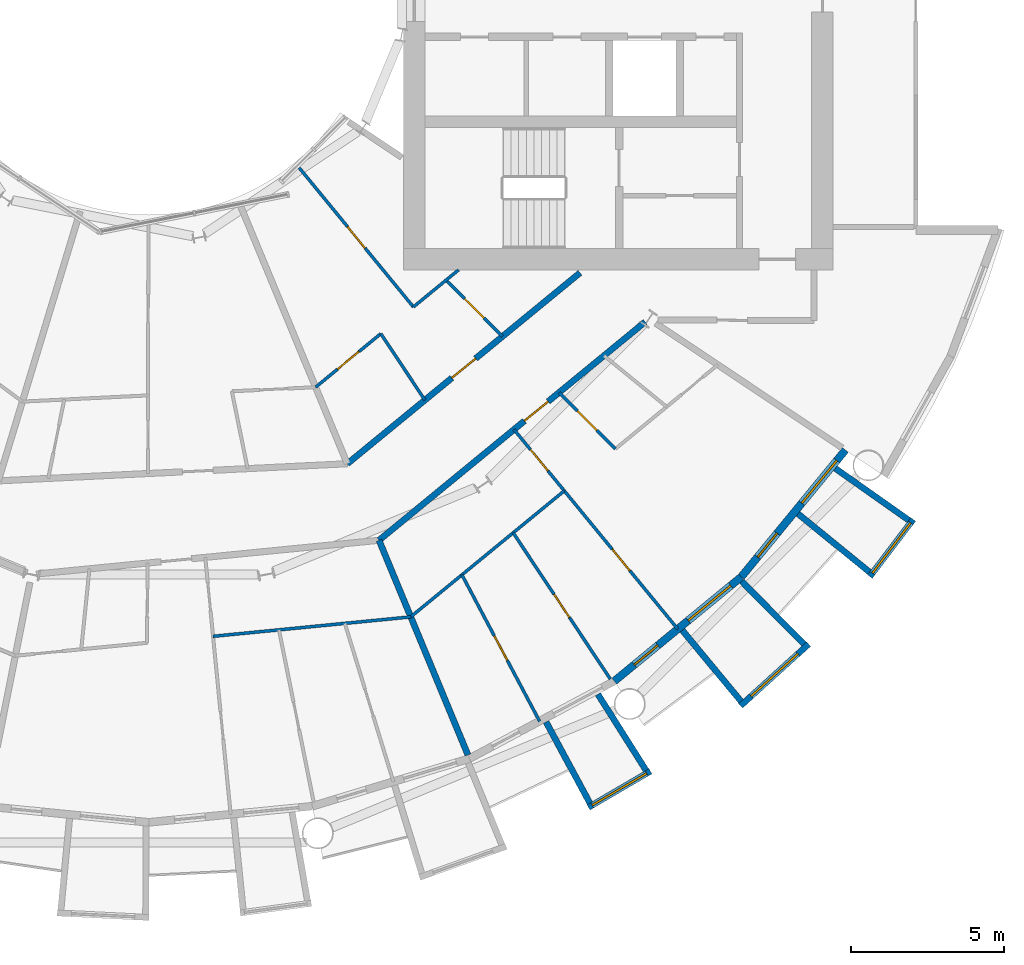
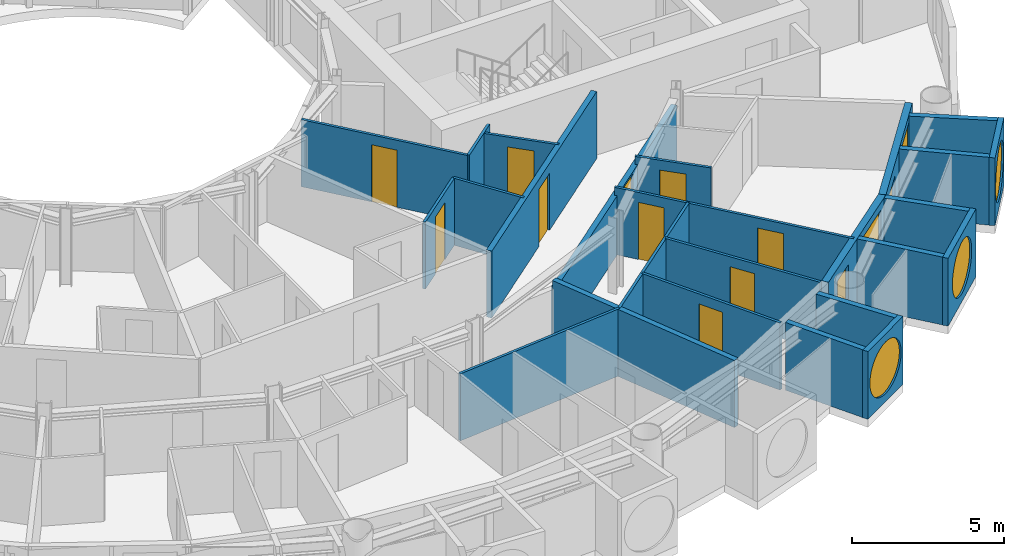
# One storey, part 16 of 26: 25 walls, 12 doors, 5 windows, 17 openings.
"""IFC4 building model written with IfcOpenShell, lengths in metres."""

from ifc_helpers import new_model, si_unit, direction, frame, frame_2d, origin, place, context, subcontext, project, spatial, rectangle, circle, extrude, material, layer, layer_set, type_object, element, fill, save


model = new_model("IFC4")

# Units and contexts
model_context = context("Model", 3, precision=1e-05, world=origin(), true_north=direction((0.0, 1.0)))
body_context = subcontext(model_context, "Body", "Model", "MODEL_VIEW")
ifc_project = project(units=[si_unit("LENGTHUNIT", "METRE"), si_unit("AREAUNIT", "SQUARE_METRE"), si_unit("VOLUMEUNIT", "CUBIC_METRE"), si_unit("PLANEANGLEUNIT", "RADIAN"), si_unit("MASSUNIT", "GRAM", prefix="KILO")], contexts=[model_context])

# Site, building, storey
site_placement = place(None, origin())
site = spatial("IfcSite", under=ifc_project, at=site_placement, CompositionType="ELEMENT")
building_placement = place(site_placement, origin())
building = spatial("IfcBuilding", under=site, at=building_placement, Name="Maasbend Ring Residences", CompositionType="ELEMENT")
storey_placement = place(building_placement, frame((0.0, 0.0, 63.60009765625)))
storey = spatial("IfcBuildingStorey", under=building, at=storey_placement, Name="L17", CompositionType="ELEMENT", Elevation=63.60009765625)

# Wall, opening, door
ifc_material_1 = material(Name="Concrete C30/37", Category="concrete")
ifc_layer_1 = layer(ifc_material_1, 0.199951171875)
ifc_layer_set_1 = layer_set([ifc_layer_1], Name="Concrete C30/37")
wall_type_1 = type_object("IfcWallType", Name="CORRIDOR WALL 200 CONCRETE", PredefinedType="PARTITIONING", material=ifc_layer_set_1)
wall_1_placement = place(storey_placement, frame((7.498046875, -18.10888671875, 0.0), z_axis=(0.0, 0.0, 1.0), x_axis=(0.773076379635, 0.634312944256, 0.0)))
wall_1 = element("IfcWall", 1, at=wall_1_placement, inside=storey, type_object=wall_type_1, Name="U-L17-w014", PredefinedType="PARTITIONING", context=body_context, shape_type="SweptSolid", body=[
    extrude(rectangle(XDim=11.221435546875, YDim=0.199951171875, at=frame_2d((5.61083984375, 0.0))), origin(), (0.0, 0.0, 1.0), 2.3798828125),
])
opening_1_placement = place(wall_1_placement, frame((6.132080078125, 0.0, 0.0)))
opening_1 = element("IfcOpeningElement", 2, at=opening_1_placement, cuts=wall_1, Name="Opening D-1750", PredefinedType="OPENING", context=body_context, shape_type="SweptSolid", body=[
    extrude(rectangle(XDim=1.0, YDim=2.300048828125, at=frame_2d((0.5, 1.14990234375))), frame((0.0, 0.10986328125, 0.0), z_axis=(0.0, -1.0, 0.0), x_axis=(1.0, 0.0, 0.0)), (0.0, 0.0, 1.0), 0.219970703125),
])
ifc_material_2 = material(Name="Timber, fire-rated, painted", Category="wood")
door_type_1 = type_object("IfcDoorType", Name="FLAT ENTRANCE DOOR 1000 X 2300 FIRE-RATED", OperationType="NOTDEFINED", PredefinedType="DOOR", material=ifc_material_2)
door_1_placement = place(opening_1_placement, origin())
door_1 = element("IfcDoor", 3, at=door_1_placement, inside=storey, type_object=door_type_1, Name="D-1750", OperationType="SINGLE_SWING_RIGHT", OverallHeight=2.300048828125, OverallWidth=1.0, PredefinedType="DOOR", context=body_context, shape_type="SweptSolid", body=[
    extrude(rectangle(XDim=1.0, YDim=2.300048828125, at=frame_2d((0.5, 1.14990234375))), frame((0.0, 0.02490234375, 0.0), z_axis=(0.0, -1.0, 0.0), x_axis=(1.0, 0.0, 0.0)), (0.0, 0.0, 1.0), 0.050048828125),
])
fill(opening_1, door_1)

wall_2_placement = place(storey_placement, frame((6.467041015625, -15.614013671875, 0.0), z_axis=(0.0, 0.0, 1.0), x_axis=(0.773074935257, 0.634314704605, 0.0)))
wall_2 = element("IfcWall", 4, at=wall_2_placement, inside=storey, type_object=wall_type_1, Name="U-L17-w015", PredefinedType="PARTITIONING", context=body_context, shape_type="SweptSolid", body=[
    extrude(rectangle(XDim=9.808837890625, YDim=0.199951171875, at=frame_2d((4.904296875, 0.0))), origin(), (0.0, 0.0, 1.0), 2.699951171875),
])
opening_2_placement = place(wall_2_placement, frame((4.406982421875, 0.0, 0.0)))
opening_2 = element("IfcOpeningElement", 5, at=opening_2_placement, cuts=wall_2, Name="Opening D-1766", PredefinedType="OPENING", context=body_context, shape_type="SweptSolid", body=[
    extrude(rectangle(XDim=1.0, YDim=2.300048828125, at=frame_2d((0.5, 1.14990234375))), frame((0.0, 0.10986328125, 0.0), z_axis=(0.0, -1.0, 0.0), x_axis=(1.0, 0.0, 0.0)), (0.0, 0.0, 1.0), 0.219970703125),
])
door_2_placement = place(opening_2_placement, origin())
door_2 = element("IfcDoor", 6, at=door_2_placement, inside=storey, type_object=door_type_1, Name="D-1766", OperationType="SINGLE_SWING_RIGHT", OverallHeight=2.300048828125, OverallWidth=1.0, PredefinedType="DOOR", context=body_context, shape_type="SweptSolid", body=[
    extrude(rectangle(XDim=1.0, YDim=2.300048828125, at=frame_2d((0.5, 1.14990234375))), frame((0.0, 0.02490234375, 0.0), z_axis=(0.0, -1.0, 0.0), x_axis=(1.0, 0.0, 0.0)), (0.0, 0.0, 1.0), 0.050048828125),
])
fill(opening_2, door_2)

# Wall, opening, window
ifc_material_3 = material(Name="Pale anodised aluminium panel", Category="aluminium")
ifc_layer_2 = layer(ifc_material_3, 0.199951171875)
ifc_layer_set_2 = layer_set([ifc_layer_2], Name="EW-BOX")
wall_type_2 = type_object("IfcWallType", Name="EW-BOX", PredefinedType="SOLIDWALL", material=ifc_layer_set_2)
wall_3_placement = place(storey_placement, frame((14.326904296875, -26.81201171875, -0.030029296875), z_axis=(0.0, 0.0, 1.0), x_axis=(0.863346521872, 0.504611517081, 0.0)))
wall_3 = element("IfcWall", 7, at=wall_3_placement, inside=storey, type_object=wall_type_2, Name="Box front S16", PredefinedType="SOLIDWALL", context=body_context, shape_type="SweptSolid", body=[
    extrude(rectangle(XDim=2.33642578125, YDim=0.199951171875, at=frame_2d((1.168212890625, 0.0))), origin(), (0.0, 0.0, 1.0), 2.72998046875),
])
opening_3_placement = place(wall_3_placement, frame((0.128173828125, 0.0, 0.330078125)))
opening_3 = element("IfcOpeningElement", 8, at=opening_3_placement, cuts=wall_3, Name="Opening W-RD", PredefinedType="OPENING", context=body_context, shape_type="SweptSolid", body=[
    extrude(circle(Radius=1.0400390625, at=frame_2d((1.0400390625, 1.0400390625))), frame((0.0, 0.10986328125, 0.0), z_axis=(0.0, -1.0, 0.0), x_axis=(1.0, 0.0, 0.0)), (0.0, 0.0, 1.0), 0.219970703125),
])
ifc_material_4 = material(Name="Aluminium and clear glass", Category="aluminium")
window_type_1 = type_object("IfcWindowType", Name="W-RD", PartitioningType="SINGLE_PANEL", PredefinedType="WINDOW", material=ifc_material_4)
window_1_placement = place(opening_3_placement, origin())
window_1 = element("IfcWindow", 9, at=window_1_placement, inside=storey, type_object=window_type_1, Name="Round window S16", OverallHeight=2.080078125, OverallWidth=2.080078125, PartitioningType="SINGLE_PANEL", PredefinedType="WINDOW", context=body_context, shape_type="SweptSolid", body=[
    extrude(circle(Radius=1.0400390625, at=frame_2d((1.0400390625, 1.0400390625))), frame((0.0, 0.030029296875, 0.0), z_axis=(0.0, -1.0, 0.0), x_axis=(1.0, 0.0, 0.0)), (0.0, 0.0, 1.0), 0.06005859375),
])
fill(opening_3, window_1)

# Walls
wall_4_placement = place(storey_placement, frame((12.945068359375, -24.029052734375, -0.030029296875), z_axis=(0.0, 0.0, 1.0), x_axis=(0.474424310775, -0.88029629861, 0.0)))
element("IfcWall", 10, at=wall_4_placement, inside=storey, type_object=wall_type_2, Name="Box side wall S16 left", PredefinedType="SOLIDWALL", context=body_context, shape_type="SweptSolid", body=[
    extrude(rectangle(XDim=3.005859375, YDim=0.199951171875, at=frame_2d((1.5029296875, 0.0))), origin(), (0.0, 0.0, 1.0), 2.72998046875),
])
wall_5_placement = place(storey_placement, frame((14.635009765625, -23.1259765625, -0.030029296875), z_axis=(0.0, 0.0, 1.0), x_axis=(0.534437802731, -0.845207805816, 0.0)))
element("IfcWall", 11, at=wall_5_placement, inside=storey, type_object=wall_type_2, Name="Box side wall S16 right", PredefinedType="SOLIDWALL", context=body_context, shape_type="SweptSolid", body=[
    extrude(rectangle(XDim=2.931884765625, YDim=0.199951171875, at=frame_2d((1.4658203125, 0.0))), origin(), (0.0, 0.0, 1.0), 2.72998046875),
])

# Wall, opening, window
wall_6_placement = place(storey_placement, frame((19.281982421875, -23.5029296875, -0.030029296875), z_axis=(0.0, 0.0, 1.0), x_axis=(0.740998365753, 0.671506829416, 0.0)))
wall_6 = element("IfcWall", 12, at=wall_6_placement, inside=storey, type_object=wall_type_2, Name="Box front S18", PredefinedType="SOLIDWALL", context=body_context, shape_type="SweptSolid", body=[
    extrude(rectangle(XDim=2.9931640625, YDim=0.199951171875, at=frame_2d((1.49658203125, 0.0))), origin(), (0.0, 0.0, 1.0), 2.72998046875),
])
opening_4_placement = place(wall_6_placement, frame((0.45654296875, 0.0, 0.330078125)))
opening_4 = element("IfcOpeningElement", 13, at=opening_4_placement, cuts=wall_6, Name="Opening W-RD", PredefinedType="OPENING", context=body_context, shape_type="SweptSolid", body=[
    extrude(circle(Radius=1.0400390625, at=frame_2d((1.0400390625, 1.0400390625))), frame((0.0, 0.10986328125, 0.0), z_axis=(0.0, -1.0, 0.0), x_axis=(1.0, 0.0, 0.0)), (0.0, 0.0, 1.0), 0.219970703125),
])
window_2_placement = place(opening_4_placement, origin())
window_2 = element("IfcWindow", 14, at=window_2_placement, inside=storey, type_object=window_type_1, Name="Round window S18", OverallHeight=2.080078125, OverallWidth=2.080078125, PartitioningType="SINGLE_PANEL", PredefinedType="WINDOW", context=body_context, shape_type="SweptSolid", body=[
    extrude(circle(Radius=1.0400390625, at=frame_2d((1.0400390625, 1.0400390625))), frame((0.0, 0.030029296875, 0.0), z_axis=(0.0, -1.0, 0.0), x_axis=(1.0, 0.0, 0.0)), (0.0, 0.0, 1.0), 0.06005859375),
])
fill(opening_4, window_2)

# Walls
wall_7_placement = place(storey_placement, frame((17.384033203125, -21.041015625, -0.030029296875), z_axis=(0.0, 0.0, 1.0), x_axis=(0.63709551667, -0.770784861449, 0.0)))
element("IfcWall", 15, at=wall_7_placement, inside=storey, type_object=wall_type_2, Name="Box side wall S18 left", PredefinedType="SOLIDWALL", context=body_context, shape_type="SweptSolid", body=[
    extrude(rectangle(XDim=3.005859375, YDim=0.199951171875, at=frame_2d((1.5029296875, 0.0))), origin(), (0.0, 0.0, 1.0), 2.72998046875),
])
wall_8_placement = place(storey_placement, frame((19.322998046875, -19.449951171875, -0.030029296875), z_axis=(0.0, 0.0, 1.0), x_axis=(0.704476739375, -0.709727076896, 0.0)))
element("IfcWall", 16, at=wall_8_placement, inside=storey, type_object=wall_type_2, Name="Box side wall S18 right", PredefinedType="SOLIDWALL", context=body_context, shape_type="SweptSolid", body=[
    extrude(rectangle(XDim=2.883056640625, YDim=0.199951171875, at=frame_2d((1.44140625, 0.0))), origin(), (0.0, 0.0, 1.0), 2.72998046875),
])

# Wall, opening, window
wall_9_placement = place(storey_placement, frame((23.4970703125, -19.2890625, -0.030029296875), z_axis=(0.0, 0.0, 1.0), x_axis=(0.60418752353, 0.796842165306, 0.0)))
wall_9 = element("IfcWall", 17, at=wall_9_placement, inside=storey, type_object=wall_type_2, Name="Box front S20", PredefinedType="SOLIDWALL", context=body_context, shape_type="SweptSolid", body=[
    extrude(rectangle(XDim=2.3369140625, YDim=0.199951171875, at=frame_2d((1.16845703125, 0.0))), origin(), (0.0, 0.0, 1.0), 2.72998046875),
])
opening_5_placement = place(wall_9_placement, frame((0.128173828125, 0.0, 0.330078125)))
opening_5 = element("IfcOpeningElement", 18, at=opening_5_placement, cuts=wall_9, Name="Opening W-RD", PredefinedType="OPENING", context=body_context, shape_type="SweptSolid", body=[
    extrude(circle(Radius=1.0400390625, at=frame_2d((1.0400390625, 1.0400390625))), frame((0.0, 0.10986328125, 0.0), z_axis=(0.0, -1.0, 0.0), x_axis=(1.0, 0.0, 0.0)), (0.0, 0.0, 1.0), 0.219970703125),
])
window_3_placement = place(opening_5_placement, origin())
window_3 = element("IfcWindow", 19, at=window_3_placement, inside=storey, type_object=window_type_1, Name="Round window S20", OverallHeight=2.080078125, OverallWidth=2.080078125, PartitioningType="SINGLE_PANEL", PredefinedType="WINDOW", context=body_context, shape_type="SweptSolid", body=[
    extrude(circle(Radius=1.0400390625, at=frame_2d((1.0400390625, 1.0400390625))), frame((0.0, 0.030029296875, 0.0), z_axis=(0.0, -1.0, 0.0), x_axis=(1.0, 0.0, 0.0)), (0.0, 0.0, 1.0), 0.06005859375),
])
fill(opening_5, window_3)

# Walls
wall_10_placement = place(storey_placement, frame((21.155029296875, -17.24609375, -0.030029296875), z_axis=(0.0, 0.0, 1.0), x_axis=(0.775179004516, -0.631741648902, 0.0)))
element("IfcWall", 20, at=wall_10_placement, inside=storey, type_object=wall_type_2, Name="Box side wall S20 left", PredefinedType="SOLIDWALL", context=body_context, shape_type="SweptSolid", body=[
    extrude(rectangle(XDim=3.005859375, YDim=0.199951171875, at=frame_2d((1.5029296875, 0.0))), origin(), (0.0, 0.0, 1.0), 2.72998046875),
])
wall_11_placement = place(storey_placement, frame((22.3701171875, -15.764892578125, -0.030029296875), z_axis=(0.0, 0.0, 1.0), x_axis=(0.817256123454, -0.576274612209, 0.0)))
element("IfcWall", 21, at=wall_11_placement, inside=storey, type_object=wall_type_2, Name="Box side wall S20 right", PredefinedType="SOLIDWALL", context=body_context, shape_type="SweptSolid", body=[
    extrude(rectangle(XDim=2.932861328125, YDim=0.199951171875, at=frame_2d((1.46630859375, 0.0))), origin(), (0.0, 0.0, 1.0), 2.72998046875),
])

# Wall, openings, door, window
ifc_material_5 = material(Name="Aluminium clad insulated panel", Category="aluminium")
ifc_layer_3 = layer(ifc_material_5, 0.25)
ifc_layer_set_3 = layer_set([ifc_layer_3], Name="EW-GL")
wall_type_3 = type_object("IfcWallType", Name="EW-GL", PredefinedType="SOLIDWALL", material=ifc_layer_set_3)
wall_12_placement = place(storey_placement, frame((15.1669921875, -22.698974609375, 0.0), z_axis=(0.0, 0.0, 1.0), x_axis=(0.773019449054, 0.634382322723, 0.0)))
wall_12 = element("IfcWall", 22, at=wall_12_placement, inside=storey, type_object=wall_type_3, Name="External wall S09", PredefinedType="SOLIDWALL", context=body_context, shape_type="SweptSolid", body=[
    extrude(rectangle(XDim=5.351806640625, YDim=0.25, at=frame_2d((2.67578125, 0.0))), origin(), (0.0, 0.0, 1.0), 2.699951171875),
])
opening_6_placement = place(wall_12_placement, frame((0.841064453125, 0.0, 0.0)))
opening_6 = element("IfcOpeningElement", 23, at=opening_6_placement, cuts=wall_12, Name="Opening D-LG", PredefinedType="OPENING", context=body_context, shape_type="SweptSolid", body=[
    extrude(rectangle(XDim=1.0, YDim=2.199951171875, at=frame_2d((0.5, 1.10009765625))), frame((0.0, 0.135009765625, 0.0), z_axis=(0.0, -1.0, 0.0), x_axis=(1.0, 0.0, 0.0)), (0.0, 0.0, 1.0), 0.27001953125),
])
opening_7_placement = place(wall_12_placement, frame((3.110595703125, 0.0, 0.300048828125)))
opening_7 = element("IfcOpeningElement", 24, at=opening_7_placement, cuts=wall_12, Name="Opening W-BX", PredefinedType="OPENING", context=body_context, shape_type="SweptSolid", body=[
    extrude(rectangle(XDim=1.800048828125, YDim=2.10009765625, at=frame_2d((0.89990234375, 1.050048828125))), frame((0.0, 0.135009765625, 0.0), z_axis=(0.0, -1.0, 0.0), x_axis=(1.0, 0.0, 0.0)), (0.0, 0.0, 1.0), 0.27001953125),
])
ifc_material_6 = material(Name="Aluminium and clear glass", Category="aluminium")
door_type_2 = type_object("IfcDoorType", Name="D-LG", OperationType="SINGLE_SWING_LEFT", PredefinedType="DOOR", material=ifc_material_6)
door_3_placement = place(opening_6_placement, origin())
door_3 = element("IfcDoor", 25, at=door_3_placement, inside=storey, type_object=door_type_2, Name="Loggia door S17", OperationType="SINGLE_SWING_LEFT", OverallHeight=2.199951171875, OverallWidth=1.0, PredefinedType="DOOR", context=body_context, shape_type="SweptSolid", body=[
    extrude(rectangle(XDim=1.0, YDim=2.199951171875, at=frame_2d((0.5, 1.10009765625))), frame((0.0, 0.02490234375, 0.0), z_axis=(0.0, -1.0, 0.0), x_axis=(1.0, 0.0, 0.0)), (0.0, 0.0, 1.0), 0.050048828125),
])
fill(opening_6, door_3)
ifc_material_7 = material(Name="Aluminium and clear glass", Category="aluminium")
window_type_2 = type_object("IfcWindowType", Name="W-BX", PartitioningType="DOUBLE_PANEL_VERTICAL", PredefinedType="WINDOW", material=ifc_material_7)
window_4_placement = place(opening_7_placement, origin())
window_4 = element("IfcWindow", 26, at=window_4_placement, inside=storey, type_object=window_type_2, Name="Window S18 room to box", OverallHeight=2.10009765625, OverallWidth=1.800048828125, PartitioningType="SINGLE_PANEL", PredefinedType="WINDOW", context=body_context, shape_type="SweptSolid", body=[
    extrude(rectangle(XDim=1.800048828125, YDim=2.10009765625, at=frame_2d((0.89990234375, 1.050048828125))), frame((0.0, 0.030029296875, 0.0), z_axis=(0.0, -1.0, 0.0), x_axis=(1.0, 0.0, 0.0)), (0.0, 0.0, 1.0), 0.06005859375),
])
fill(opening_7, window_4)

wall_13_placement = place(storey_placement, frame((19.303955078125, -19.303955078125, 0.0), z_axis=(0.0, 0.0, 1.0), x_axis=(0.634382322723, 0.773019449054, 0.0)))
wall_13 = element("IfcWall", 27, at=wall_13_placement, inside=storey, type_object=wall_type_3, Name="External wall S10", PredefinedType="SOLIDWALL", context=body_context, shape_type="SweptSolid", body=[
    extrude(rectangle(XDim=5.351806640625, YDim=0.25, at=frame_2d((2.67578125, 0.0))), origin(), (0.0, 0.0, 1.0), 2.699951171875),
])
opening_8_placement = place(wall_13_placement, frame((0.841064453125, 0.0, 0.0)))
opening_8 = element("IfcOpeningElement", 28, at=opening_8_placement, cuts=wall_13, Name="Opening D-LG", PredefinedType="OPENING", context=body_context, shape_type="SweptSolid", body=[
    extrude(rectangle(XDim=1.0, YDim=2.199951171875, at=frame_2d((0.5, 1.10009765625))), frame((0.0, 0.135009765625, 0.0), z_axis=(0.0, -1.0, 0.0), x_axis=(1.0, 0.0, 0.0)), (0.0, 0.0, 1.0), 0.27001953125),
])
opening_9_placement = place(wall_13_placement, frame((3.110595703125, 0.0, 0.300048828125)))
opening_9 = element("IfcOpeningElement", 29, at=opening_9_placement, cuts=wall_13, Name="Opening W-BX", PredefinedType="OPENING", context=body_context, shape_type="SweptSolid", body=[
    extrude(rectangle(XDim=1.800048828125, YDim=2.10009765625, at=frame_2d((0.89990234375, 1.050048828125))), frame((0.0, 0.135009765625, 0.0), z_axis=(0.0, -1.0, 0.0), x_axis=(1.0, 0.0, 0.0)), (0.0, 0.0, 1.0), 0.27001953125),
])
door_4_placement = place(opening_8_placement, origin())
door_4 = element("IfcDoor", 30, at=door_4_placement, inside=storey, type_object=door_type_2, Name="Loggia door S19", OperationType="SINGLE_SWING_LEFT", OverallHeight=2.199951171875, OverallWidth=1.0, PredefinedType="DOOR", context=body_context, shape_type="SweptSolid", body=[
    extrude(rectangle(XDim=1.0, YDim=2.199951171875, at=frame_2d((0.5, 1.10009765625))), frame((0.0, 0.02490234375, 0.0), z_axis=(0.0, -1.0, 0.0), x_axis=(1.0, 0.0, 0.0)), (0.0, 0.0, 1.0), 0.050048828125),
])
fill(opening_8, door_4)
window_5_placement = place(opening_9_placement, origin())
window_5 = element("IfcWindow", 31, at=window_5_placement, inside=storey, type_object=window_type_2, Name="Window S20 room to box", OverallHeight=2.10009765625, OverallWidth=1.800048828125, PartitioningType="SINGLE_PANEL", PredefinedType="WINDOW", context=body_context, shape_type="SweptSolid", body=[
    extrude(rectangle(XDim=1.800048828125, YDim=2.10009765625, at=frame_2d((0.89990234375, 1.050048828125))), frame((0.0, 0.030029296875, 0.0), z_axis=(0.0, -1.0, 0.0), x_axis=(1.0, 0.0, 0.0)), (0.0, 0.0, 1.0), 0.06005859375),
])
fill(opening_9, window_5)

# Walls
ifc_material_8 = material(Name="Gypsum board on steel studs", Category="steel")
ifc_layer_4 = layer(ifc_material_8, 0.10009765625)
ifc_layer_set_4 = layer_set([ifc_layer_4], Name="PARTITION 100 GYPSUM")
wall_type_4 = type_object("IfcWallType", Name="PARTITION 100 GYPSUM", PredefinedType="PARTITIONING", material=ifc_layer_set_4)
wall_14_placement = place(storey_placement, frame((2.089111328125, -21.238037109375, 0.0), z_axis=(0.0, 0.0, 1.0), x_axis=(0.995211787668, 0.097741995509, 0.0)))
element("IfcWall", 32, at=wall_14_placement, inside=storey, type_object=wall_type_4, Name="U-L17-w008", PredefinedType="PARTITIONING", context=body_context, shape_type="SweptSolid", body=[
    extrude(rectangle(XDim=6.476806640625, YDim=0.10009765625, at=frame_2d((3.23828125, 0.0))), origin(), (0.0, 0.0, 1.0), 2.699951171875),
])
wall_15_placement = place(storey_placement, frame((8.533935546875, -20.60302734375, 0.0), z_axis=(0.0, 0.0, 1.0), x_axis=(0.773000340237, 0.634405606843, 0.0)))
element("IfcWall", 33, at=wall_15_placement, inside=storey, type_object=wall_type_4, Name="U-L17-w009", PredefinedType="PARTITIONING", context=body_context, shape_type="SweptSolid", body=[
    extrude(rectangle(XDim=6.4736328125, YDim=0.10009765625, at=frame_2d((3.23681640625, 0.0))), origin(), (0.0, 0.0, 1.0), 2.699951171875),
])

# Wall, opening, door
wall_16_placement = place(storey_placement, frame((5.43408203125, -13.118896484375, 0.0), z_axis=(0.0, 0.0, 1.0), x_axis=(0.773049907698, 0.634345205868, 0.0)))
wall_16 = element("IfcWall", 34, at=wall_16_placement, inside=storey, type_object=wall_type_4, Name="U-L17-w018", PredefinedType="PARTITIONING", context=body_context, shape_type="SweptSolid", body=[
    extrude(rectangle(XDim=2.74755859375, YDim=0.10009765625, at=frame_2d((1.373779296875, 0.0))), origin(), (0.0, 0.0, 1.0), 2.699951171875),
])
opening_10_placement = place(wall_16_placement, frame((0.924072265625, 0.0, 0.0)))
opening_10 = element("IfcOpeningElement", 35, at=opening_10_placement, cuts=wall_16, Name="Opening D-1767", PredefinedType="OPENING", context=body_context, shape_type="SweptSolid", body=[
    extrude(rectangle(XDim=0.89990234375, YDim=2.300048828125, at=frame_2d((0.449951171875, 1.14990234375))), frame((0.0, 0.06005859375, 0.0), z_axis=(0.0, -1.0, 0.0), x_axis=(1.0, 0.0, 0.0)), (0.0, 0.0, 1.0), 0.1201171875),
])
ifc_material_9 = material(Name="Timber, painted", Category="wood")
door_type_3 = type_object("IfcDoorType", Name="INTERNAL DOOR 900 X 2300", OperationType="NOTDEFINED", PredefinedType="DOOR", material=ifc_material_9)
door_5_placement = place(opening_10_placement, origin())
door_5 = element("IfcDoor", 36, at=door_5_placement, inside=storey, type_object=door_type_3, Name="D-1767", OperationType="SINGLE_SWING_RIGHT", OverallHeight=2.300048828125, OverallWidth=0.89990234375, PredefinedType="DOOR", context=body_context, shape_type="SweptSolid", body=[
    extrude(rectangle(XDim=0.89990234375, YDim=2.300048828125, at=frame_2d((0.449951171875, 1.14990234375))), frame((0.0, 0.02490234375, 0.0), z_axis=(0.0, -1.0, 0.0), x_axis=(1.0, 0.0, 0.0)), (0.0, 0.0, 1.0), 0.050048828125),
])
fill(opening_10, door_5)

# Wall
wall_17_placement = place(storey_placement, frame((8.6201171875, -10.5048828125, 0.0), z_axis=(0.0, 0.0, 1.0), x_axis=(0.772957368531, 0.6344579627, 0.0)))
element("IfcWall", 37, at=wall_17_placement, inside=storey, type_object=wall_type_4, Name="U-L17-w019", PredefinedType="PARTITIONING", context=body_context, shape_type="SweptSolid", body=[
    extrude(rectangle(XDim=1.905517578125, YDim=0.10009765625, at=frame_2d((0.95263671875, 0.0))), origin(), (0.0, 0.0, 1.0), 2.699951171875),
])

# Wall, opening, door
wall_18_placement = place(storey_placement, frame((4.89794921875, -5.968017578125, 0.0), z_axis=(0.0, 0.0, 1.0), x_axis=(0.634358693064, -0.773038840249, 0.0)))
wall_18 = element("IfcWall", 38, at=wall_18_placement, inside=storey, type_object=wall_type_4, Name="U-L17-w069", PredefinedType="PARTITIONING", context=body_context, shape_type="SweptSolid", body=[
    extrude(rectangle(XDim=5.86767578125, YDim=0.10009765625, at=frame_2d((2.933837890625, 0.0))), origin(), (0.0, 0.0, 1.0), 2.699951171875),
])
opening_11_placement = place(wall_18_placement, frame((2.48388671875, 0.0, 0.0)))
opening_11 = element("IfcOpeningElement", 39, at=opening_11_placement, cuts=wall_18, Name="Opening D-1769", PredefinedType="OPENING", context=body_context, shape_type="SweptSolid", body=[
    extrude(rectangle(XDim=0.89990234375, YDim=2.300048828125, at=frame_2d((0.449951171875, 1.14990234375))), frame((0.0, 0.06005859375, 0.0), z_axis=(0.0, -1.0, 0.0), x_axis=(1.0, 0.0, 0.0)), (0.0, 0.0, 1.0), 0.1201171875),
])
door_6_placement = place(opening_11_placement, origin())
door_6 = element("IfcDoor", 40, at=door_6_placement, inside=storey, type_object=door_type_3, Name="D-1769", OperationType="SINGLE_SWING_LEFT", OverallHeight=2.300048828125, OverallWidth=0.89990234375, PredefinedType="DOOR", context=body_context, shape_type="SweptSolid", body=[
    extrude(rectangle(XDim=0.89990234375, YDim=2.300048828125, at=frame_2d((0.449951171875, 1.14990234375))), frame((0.0, 0.02490234375, 0.0), z_axis=(0.0, -1.0, 0.0), x_axis=(1.0, 0.0, 0.0)), (0.0, 0.0, 1.0), 0.050048828125),
])
fill(opening_11, door_6)

# Wall
wall_19_placement = place(storey_placement, frame((7.55810546875, -11.3759765625, 0.0), z_axis=(0.0, 0.0, 1.0), x_axis=(0.553615197403, -0.83277260594, 0.0)))
element("IfcWall", 41, at=wall_19_placement, inside=storey, type_object=wall_type_4, Name="U-L17-w076", PredefinedType="PARTITIONING", context=body_context, shape_type="SweptSolid", body=[
    extrude(rectangle(XDim=2.597412109375, YDim=0.10009765625, at=frame_2d((1.298828125, 0.0))), origin(), (0.0, 0.0, 1.0), 2.699951171875),
])

# Wall, opening, door
wall_20_placement = place(storey_placement, frame((9.68310546875, -9.632080078125, 0.0), z_axis=(0.0, 0.0, 1.0), x_axis=(0.708796844581, -0.705412668665, 0.0)))
wall_20 = element("IfcWall", 42, at=wall_20_placement, inside=storey, type_object=wall_type_4, Name="U-L17-w077", PredefinedType="PARTITIONING", context=body_context, shape_type="SweptSolid", body=[
    extrude(rectangle(XDim=2.59716796875, YDim=0.10009765625, at=frame_2d((1.298583984375, 0.0))), origin(), (0.0, 0.0, 1.0), 2.699951171875),
])
opening_12_placement = place(wall_20_placement, frame((0.84912109375, 0.0, 0.0)))
opening_12 = element("IfcOpeningElement", 43, at=opening_12_placement, cuts=wall_20, Name="Opening D-1768", PredefinedType="OPENING", context=body_context, shape_type="SweptSolid", body=[
    extrude(rectangle(XDim=0.89990234375, YDim=2.300048828125, at=frame_2d((0.449951171875, 1.14990234375))), frame((0.0, 0.06005859375, 0.0), z_axis=(0.0, -1.0, 0.0), x_axis=(1.0, 0.0, 0.0)), (0.0, 0.0, 1.0), 0.1201171875),
])
door_7_placement = place(opening_12_placement, origin())
door_7 = element("IfcDoor", 44, at=door_7_placement, inside=storey, type_object=door_type_3, Name="D-1768", OperationType="SINGLE_SWING_RIGHT", OverallHeight=2.300048828125, OverallWidth=0.89990234375, PredefinedType="DOOR", context=body_context, shape_type="SweptSolid", body=[
    extrude(rectangle(XDim=0.89990234375, YDim=2.300048828125, at=frame_2d((0.449951171875, 1.14990234375))), frame((0.0, 0.02490234375, 0.0), z_axis=(0.0, -1.0, 0.0), x_axis=(1.0, 0.0, 0.0)), (0.0, 0.0, 1.0), 0.050048828125),
])
fill(opening_12, door_7)

wall_21_placement = place(storey_placement, frame((10.201904296875, -19.23388671875, 0.0), z_axis=(0.0, 0.0, 1.0), x_axis=(0.468610030042, -0.883405139075, 0.0)))
wall_21 = element("IfcWall", 45, at=wall_21_placement, inside=storey, type_object=wall_type_4, Name="U-L17-w078", PredefinedType="PARTITIONING", context=body_context, shape_type="SweptSolid", body=[
    extrude(rectangle(XDim=5.403076171875, YDim=0.10009765625, at=frame_2d((2.70166015625, 0.0))), origin(), (0.0, 0.0, 1.0), 2.699951171875),
])
opening_13_placement = place(wall_21_placement, frame((2.251953125, 0.0, 0.0)))
opening_13 = element("IfcOpeningElement", 46, at=opening_13_placement, cuts=wall_21, Name="Opening D-1756", PredefinedType="OPENING", context=body_context, shape_type="SweptSolid", body=[
    extrude(rectangle(XDim=0.89990234375, YDim=2.300048828125, at=frame_2d((0.449951171875, 1.14990234375))), frame((0.0, 0.06005859375, 0.0), z_axis=(0.0, -1.0, 0.0), x_axis=(1.0, 0.0, 0.0)), (0.0, 0.0, 1.0), 0.1201171875),
])
door_8_placement = place(opening_13_placement, origin())
door_8 = element("IfcDoor", 47, at=door_8_placement, inside=storey, type_object=door_type_3, Name="D-1756", OperationType="SINGLE_SWING_RIGHT", OverallHeight=2.300048828125, OverallWidth=0.89990234375, PredefinedType="DOOR", context=body_context, shape_type="SweptSolid", body=[
    extrude(rectangle(XDim=0.89990234375, YDim=2.300048828125, at=frame_2d((0.449951171875, 1.14990234375))), frame((0.0, 0.02490234375, 0.0), z_axis=(0.0, -1.0, 0.0), x_axis=(1.0, 0.0, 0.0)), (0.0, 0.0, 1.0), 0.050048828125),
])
fill(opening_13, door_8)

wall_22_placement = place(storey_placement, frame((11.87109375, -17.864013671875, 0.0), z_axis=(0.0, 0.0, 1.0), x_axis=(0.553637025191, -0.83275809473, 0.0)))
wall_22 = element("IfcWall", 48, at=wall_22_placement, inside=storey, type_object=wall_type_4, Name="U-L17-w081", PredefinedType="PARTITIONING", context=body_context, shape_type="SweptSolid", body=[
    extrude(rectangle(XDim=5.7255859375, YDim=0.10009765625, at=frame_2d((2.86279296875, 0.0))), origin(), (0.0, 0.0, 1.0), 2.699951171875),
])
opening_14_placement = place(wall_22_placement, frame((2.4130859375, 0.0, 0.0)))
opening_14 = element("IfcOpeningElement", 49, at=opening_14_placement, cuts=wall_22, Name="Opening D-1755", PredefinedType="OPENING", context=body_context, shape_type="SweptSolid", body=[
    extrude(rectangle(XDim=0.89990234375, YDim=2.300048828125, at=frame_2d((0.449951171875, 1.14990234375))), frame((0.0, 0.06005859375, 0.0), z_axis=(0.0, -1.0, 0.0), x_axis=(1.0, 0.0, 0.0)), (0.0, 0.0, 1.0), 0.1201171875),
])
door_9_placement = place(opening_14_placement, origin())
door_9 = element("IfcDoor", 50, at=door_9_placement, inside=storey, type_object=door_type_3, Name="D-1755", OperationType="SINGLE_SWING_RIGHT", OverallHeight=2.300048828125, OverallWidth=0.89990234375, PredefinedType="DOOR", context=body_context, shape_type="SweptSolid", body=[
    extrude(rectangle(XDim=0.89990234375, YDim=2.300048828125, at=frame_2d((0.449951171875, 1.14990234375))), frame((0.0, 0.02490234375, 0.0), z_axis=(0.0, -1.0, 0.0), x_axis=(1.0, 0.0, 0.0)), (0.0, 0.0, 1.0), 0.050048828125),
])
fill(opening_14, door_9)

# Wall, openings, doors
wall_23_placement = place(storey_placement, frame((11.89892578125, -14.4990234375, 0.0), z_axis=(0.0, 0.0, 1.0), x_axis=(0.634396151441, -0.77300810024, 0.0)))
wall_23 = element("IfcWall", 51, at=wall_23_placement, inside=storey, type_object=wall_type_4, Name="U-L17-w082", PredefinedType="PARTITIONING", context=body_context, shape_type="SweptSolid", body=[
    extrude(rectangle(XDim=8.419189453125, YDim=0.10009765625, at=frame_2d((4.20947265625, 0.0))), origin(), (0.0, 0.0, 1.0), 2.699951171875),
])
opening_15_placement = place(wall_23_placement, frame((0.842041015625, 0.0, 0.0)))
opening_15 = element("IfcOpeningElement", 52, at=opening_15_placement, cuts=wall_23, Name="Opening D-1753", PredefinedType="OPENING", context=body_context, shape_type="SweptSolid", body=[
    extrude(rectangle(XDim=0.89990234375, YDim=2.300048828125, at=frame_2d((0.449951171875, 1.14990234375))), frame((0.0, 0.06005859375, 0.0), z_axis=(0.0, -1.0, 0.0), x_axis=(1.0, 0.0, 0.0)), (0.0, 0.0, 1.0), 0.1201171875),
])
opening_16_placement = place(wall_23_placement, frame((5.051025390625, 0.0, 0.0)))
opening_16 = element("IfcOpeningElement", 53, at=opening_16_placement, cuts=wall_23, Name="Opening D-1754", PredefinedType="OPENING", context=body_context, shape_type="SweptSolid", body=[
    extrude(rectangle(XDim=0.89990234375, YDim=2.300048828125, at=frame_2d((0.449951171875, 1.14990234375))), frame((0.0, 0.06005859375, 0.0), z_axis=(0.0, -1.0, 0.0), x_axis=(1.0, 0.0, 0.0)), (0.0, 0.0, 1.0), 0.1201171875),
])
door_10_placement = place(opening_15_placement, origin())
door_10 = element("IfcDoor", 54, at=door_10_placement, inside=storey, type_object=door_type_3, Name="D-1753", OperationType="SINGLE_SWING_LEFT", OverallHeight=2.300048828125, OverallWidth=0.89990234375, PredefinedType="DOOR", context=body_context, shape_type="SweptSolid", body=[
    extrude(rectangle(XDim=0.89990234375, YDim=2.300048828125, at=frame_2d((0.449951171875, 1.14990234375))), frame((0.0, 0.02490234375, 0.0), z_axis=(0.0, -1.0, 0.0), x_axis=(1.0, 0.0, 0.0)), (0.0, 0.0, 1.0), 0.050048828125),
])
fill(opening_15, door_10)
door_11_placement = place(opening_16_placement, origin())
door_11 = element("IfcDoor", 55, at=door_11_placement, inside=storey, type_object=door_type_3, Name="D-1754", OperationType="SINGLE_SWING_RIGHT", OverallHeight=2.300048828125, OverallWidth=0.89990234375, PredefinedType="DOOR", context=body_context, shape_type="SweptSolid", body=[
    extrude(rectangle(XDim=0.89990234375, YDim=2.300048828125, at=frame_2d((0.449951171875, 1.14990234375))), frame((0.0, 0.02490234375, 0.0), z_axis=(0.0, -1.0, 0.0), x_axis=(1.0, 0.0, 0.0)), (0.0, 0.0, 1.0), 0.050048828125),
])
fill(opening_16, door_11)

# Wall, opening, door
wall_24_placement = place(storey_placement, frame((13.364990234375, -13.2958984375, 0.0), z_axis=(0.0, 0.0, 1.0), x_axis=(0.708843617398, -0.705365668341, 0.0)))
wall_24 = element("IfcWall", 56, at=wall_24_placement, inside=storey, type_object=wall_type_4, Name="U-L17-w083", PredefinedType="PARTITIONING", context=body_context, shape_type="SweptSolid", body=[
    extrude(rectangle(XDim=2.59716796875, YDim=0.10009765625, at=frame_2d((1.298583984375, 0.0))), origin(), (0.0, 0.0, 1.0), 2.699951171875),
])
opening_17_placement = place(wall_24_placement, frame((0.847900390625, 0.0, 0.0)))
opening_17 = element("IfcOpeningElement", 57, at=opening_17_placement, cuts=wall_24, Name="Opening D-1752", PredefinedType="OPENING", context=body_context, shape_type="SweptSolid", body=[
    extrude(rectangle(XDim=0.89990234375, YDim=2.300048828125, at=frame_2d((0.449951171875, 1.14990234375))), frame((0.0, 0.06005859375, 0.0), z_axis=(0.0, -1.0, 0.0), x_axis=(1.0, 0.0, 0.0)), (0.0, 0.0, 1.0), 0.1201171875),
])
door_12_placement = place(opening_17_placement, origin())
door_12 = element("IfcDoor", 58, at=door_12_placement, inside=storey, type_object=door_type_3, Name="D-1752", OperationType="SINGLE_SWING_LEFT", OverallHeight=2.300048828125, OverallWidth=0.89990234375, PredefinedType="DOOR", context=body_context, shape_type="SweptSolid", body=[
    extrude(rectangle(XDim=0.89990234375, YDim=2.300048828125, at=frame_2d((0.449951171875, 1.14990234375))), frame((0.0, 0.02490234375, 0.0), z_axis=(0.0, -1.0, 0.0), x_axis=(1.0, 0.0, 0.0)), (0.0, 0.0, 1.0), 0.050048828125),
])
fill(opening_17, door_12)

# Wall
ifc_material_10 = material(Name="Concrete C30/37", Category="concrete")
ifc_layer_5 = layer(ifc_material_10, 0.199951171875)
ifc_layer_set_5 = layer_set([ifc_layer_5], Name="Concrete C30/37")
wall_type_5 = type_object("IfcWallType", Name="PARTY WALL 200 CONCRETE", PredefinedType="PARTITIONING", material=ifc_layer_set_5)
wall_25_placement = place(storey_placement, frame((7.5009765625, -18.10791015625, 0.0), z_axis=(0.0, 0.0, 1.0), x_axis=(0.382600411313, -0.923913916587, 0.0)))
element("IfcWall", 59, at=wall_25_placement, inside=storey, type_object=wall_type_5, Name="U-L17-w075", PredefinedType="PARTITIONING", context=body_context, shape_type="SweptSolid", body=[
    extrude(rectangle(XDim=7.574462890625, YDim=0.199951171875, at=frame_2d((3.787109375, 0.0))), origin(), (0.0, 0.0, 1.0), 2.699951171875),
])

save(model, "model.ifc")
